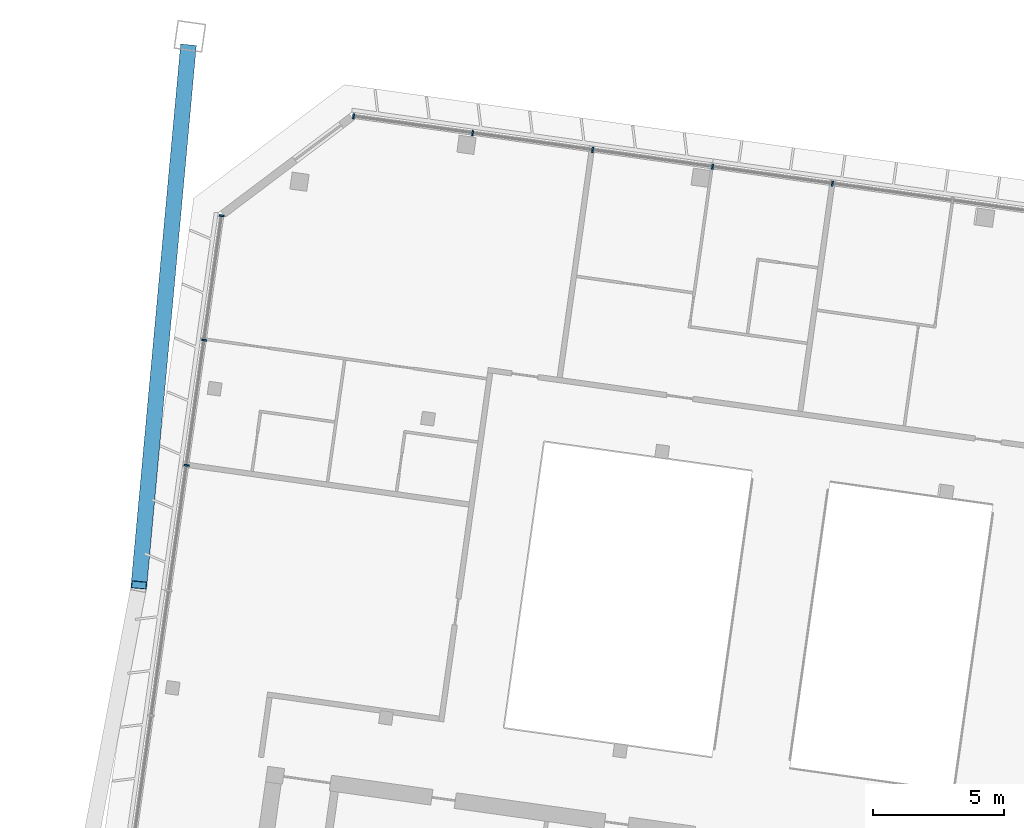
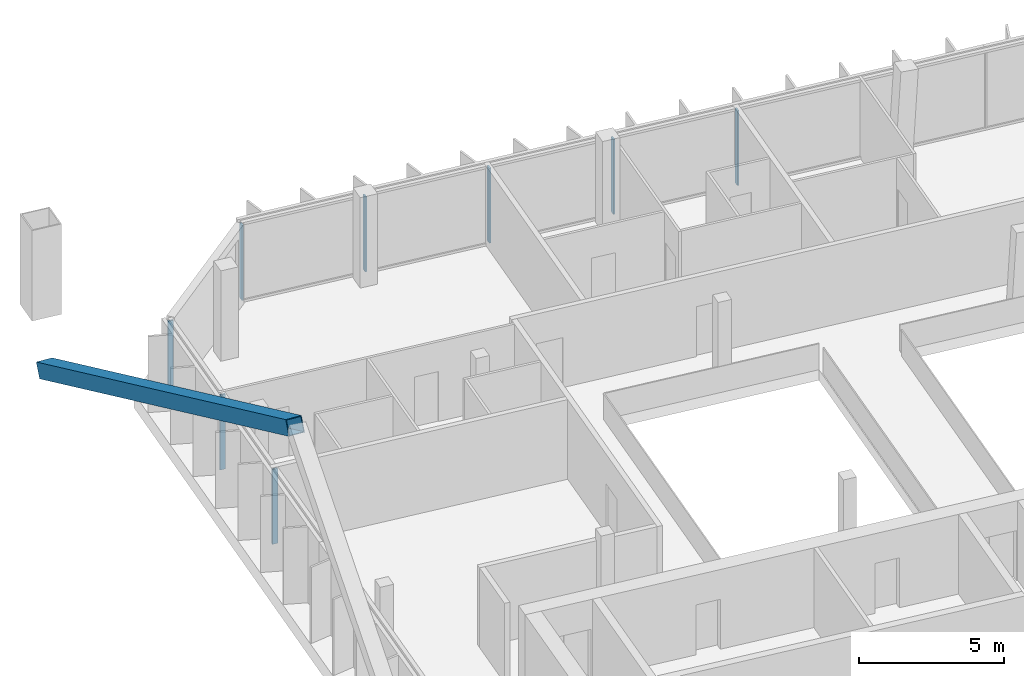
# One storey, part 5 of 23: 9 members, 2 elements without a shape of their own.
"""IFC4 building model written with IfcOpenShell, lengths in metres."""

from ifc_helpers import new_model, si_unit, direction, frame, origin, origin_2d, place, context, subcontext, project, spatial, rectangle, hollow_rectangle, extrude, material, material_profile, profile_set, type_object, element, aggregate, save


model = new_model("IFC4")

# Units and contexts
model_context = context("Model", 3, precision=1e-05, world=origin(), true_north=direction((0.0, 1.0)))
body_context = subcontext(model_context, "Body", "Model", "MODEL_VIEW")
ifc_project = project(units=[si_unit("LENGTHUNIT", "METRE"), si_unit("AREAUNIT", "SQUARE_METRE"), si_unit("VOLUMEUNIT", "CUBIC_METRE"), si_unit("PLANEANGLEUNIT", "RADIAN"), si_unit("MASSUNIT", "GRAM", prefix="KILO")], contexts=[model_context])

# Site, building, storey
site_placement = place(None, origin())
site = spatial("IfcSite", under=ifc_project, at=site_placement, CompositionType="ELEMENT")
building_placement = place(site_placement, origin())
building = spatial("IfcBuilding", under=site, at=building_placement, Name="Mirante Cascada Hotel Towers", CompositionType="ELEMENT")
storey_placement = place(building_placement, frame((0.0, 0.0, 220.4)))
storey = spatial("IfcBuildingStorey", under=building, at=storey_placement, Name="L52", CompositionType="ELEMENT", Elevation=220.4)

# Member
ifc_material_1 = material(Name="Steel ASTM A572 Gr 50", Category="steel")
ifc_material_profile_1 = material_profile(ifc_material_1, hollow_rectangle(XDim=0.6, YDim=0.6, WallThickness=0.028, at=origin_2d()), Name="Box brace 600x600x28 ASTM A572 Gr 50")
ifc_profile_set_1 = profile_set([ifc_material_profile_1], Name="Steel ASTM A572 Gr 50")
member_type_1 = type_object("IfcMemberType", Name="Box brace 600x600x28 ASTM A572 Gr 50", PredefinedType="BRACE", material=ifc_profile_set_1)
member_1_placement = place(storey_placement, frame((-73.6843, 24.8793, -2.1856), z_axis=(-0.0811208, -0.8843321, 0.4597566), x_axis=(0.9958191, -0.0913476, 0.0)))
element("IfcMember", 1, at=member_1_placement, inside=storey, type_object=member_type_1, Name="brace T1 L52 2", PredefinedType="BRACE", context=body_context, shape_type="SweptSolid", body=[
    extrude(hollow_rectangle(XDim=0.6, YDim=0.6, WallThickness=0.028, at=origin_2d()), origin(), (0.0, 0.0, 1.0), 23.0977),
])

# Curtain wall, members
ifc_material_2 = material(Name="Aluminium mullion and transom frame with clear laminated glass", Category="aluminium")
curtain_wall_type_1 = type_object("IfcCurtainWallType", Name="Ribbon curtain wall ECW1", PredefinedType="NOTDEFINED", material=ifc_material_2)
curtain_wall_1_placement = place(storey_placement, origin())
curtain_wall_1 = element("IfcCurtainWall", 2, at=curtain_wall_1_placement, inside=storey, type_object=curtain_wall_type_1, Name="Front ribbon wall T1 L52", PredefinedType="NOTDEFINED")
ifc_material_3 = material(Name="Anodised aluminium extrusion", Category="aluminium")
ifc_material_profile_2 = material_profile(ifc_material_3, rectangle(XDim=0.2, YDim=0.065, at=origin_2d()), Name="ECW1 MULLION 65x200")
ifc_profile_set_2 = profile_set([ifc_material_profile_2], Name="Anodised aluminium extrusion")
member_type_2 = type_object("IfcMemberType", Name="ECW1 mullion 65x200", PredefinedType="MULLION", material=ifc_profile_set_2)
member_2_placement = place(storey_placement, frame((-67.3887, 22.2899, 0.1), z_axis=(0.0, 0.0, 1.0), x_axis=(0.1391731, 0.9902681, 0.0)))
member_2 = element("IfcMember", 3, at=member_2_placement, type_object=member_type_2, Name="ECW1 mullion 1", PredefinedType="MULLION", context=body_context, shape_type="SweptSolid", body=[
    extrude(rectangle(XDim=0.2, YDim=0.065, at=origin_2d()), origin(), (0.0, 0.0, 1.0), 3.15),
])
member_3_placement = place(storey_placement, frame((-62.8566, 21.6529, 0.1), z_axis=(0.0, 0.0, 1.0), x_axis=(0.1391731, 0.9902681, 0.0)))
member_3 = element("IfcMember", 4, at=member_3_placement, type_object=member_type_2, Name="ECW1 mullion 2", PredefinedType="MULLION", context=body_context, shape_type="SweptSolid", body=[
    extrude(rectangle(XDim=0.2, YDim=0.065, at=origin_2d()), origin(), (0.0, 0.0, 1.0), 3.15),
])
member_4_placement = place(storey_placement, frame((-58.2923, 21.0115, 0.1), z_axis=(0.0, 0.0, 1.0), x_axis=(0.1391731, 0.9902681, 0.0)))
member_4 = element("IfcMember", 5, at=member_4_placement, type_object=member_type_2, Name="ECW1 mullion 3", PredefinedType="MULLION", context=body_context, shape_type="SweptSolid", body=[
    extrude(rectangle(XDim=0.2, YDim=0.065, at=origin_2d()), origin(), (0.0, 0.0, 1.0), 3.15),
])
member_5_placement = place(storey_placement, frame((-53.7281, 20.37, 0.1), z_axis=(0.0, 0.0, 1.0), x_axis=(0.1391731, 0.9902681, 0.0)))
member_5 = element("IfcMember", 6, at=member_5_placement, type_object=member_type_2, Name="ECW1 mullion 4", PredefinedType="MULLION", context=body_context, shape_type="SweptSolid", body=[
    extrude(rectangle(XDim=0.2, YDim=0.065, at=origin_2d()), origin(), (0.0, 0.0, 1.0), 3.15),
])
member_6_placement = place(storey_placement, frame((-49.1638, 19.7285, 0.1), z_axis=(0.0, 0.0, 1.0), x_axis=(0.1391731, 0.9902681, 0.0)))
member_6 = element("IfcMember", 7, at=member_6_placement, type_object=member_type_2, Name="ECW1 mullion 5", PredefinedType="MULLION", context=body_context, shape_type="SweptSolid", body=[
    extrude(rectangle(XDim=0.2, YDim=0.065, at=origin_2d()), origin(), (0.0, 0.0, 1.0), 3.15),
])
aggregate(curtain_wall_1, [member_2, member_3, member_4, member_5, member_6])

ifc_material_4 = material(Name="Aluminium mullion and transom frame with clear laminated glass", Category="aluminium")
curtain_wall_type_2 = type_object("IfcCurtainWallType", Name="End ribbon curtain wall ECW2", PredefinedType="NOTDEFINED", material=ifc_material_4)
curtain_wall_2_placement = place(storey_placement, origin())
curtain_wall_2 = element("IfcCurtainWall", 8, at=curtain_wall_2_placement, inside=storey, type_object=curtain_wall_type_2, Name="Outer end wall T1 L52", PredefinedType="NOTDEFINED")
ifc_material_5 = material(Name="Anodised aluminium extrusion", Category="aluminium")
ifc_material_profile_3 = material_profile(ifc_material_5, rectangle(XDim=0.2, YDim=0.065, at=origin_2d()), Name="ECW2 MULLION 65x200")
ifc_profile_set_3 = profile_set([ifc_material_profile_3], Name="Anodised aluminium extrusion")
member_type_3 = type_object("IfcMemberType", Name="ECW2 mullion 65x200", PredefinedType="MULLION", material=ifc_profile_set_3)
member_7_placement = place(storey_placement, frame((-73.7437, 9.0077, 0.1), z_axis=(0.0, 0.0, 1.0), x_axis=(-0.9902681, 0.1391731, 0.0)))
member_7 = element("IfcMember", 9, at=member_7_placement, type_object=member_type_3, Name="ECW2 mullion 5", PredefinedType="MULLION", context=body_context, shape_type="SweptSolid", body=[
    extrude(rectangle(XDim=0.2, YDim=0.065, at=origin_2d()), origin(), (0.0, 0.0, 1.0), 3.15),
])
member_8_placement = place(storey_placement, frame((-73.0739, 13.7735, 0.1), z_axis=(0.0, 0.0, 1.0), x_axis=(-0.9902681, 0.1391731, 0.0)))
member_8 = element("IfcMember", 10, at=member_8_placement, type_object=member_type_3, Name="ECW2 mullion 6", PredefinedType="MULLION", context=body_context, shape_type="SweptSolid", body=[
    extrude(rectangle(XDim=0.2, YDim=0.065, at=origin_2d()), origin(), (0.0, 0.0, 1.0), 3.15),
])
member_9_placement = place(storey_placement, frame((-72.4087, 18.5071, 0.1), z_axis=(0.0, 0.0, 1.0), x_axis=(-0.9902681, 0.1391731, 0.0)))
member_9 = element("IfcMember", 11, at=member_9_placement, type_object=member_type_3, Name="ECW2 mullion 7", PredefinedType="MULLION", context=body_context, shape_type="SweptSolid", body=[
    extrude(rectangle(XDim=0.2, YDim=0.065, at=origin_2d()), origin(), (0.0, 0.0, 1.0), 3.15),
])
aggregate(curtain_wall_2, [member_7, member_8, member_9])

save(model, "model.ifc")
